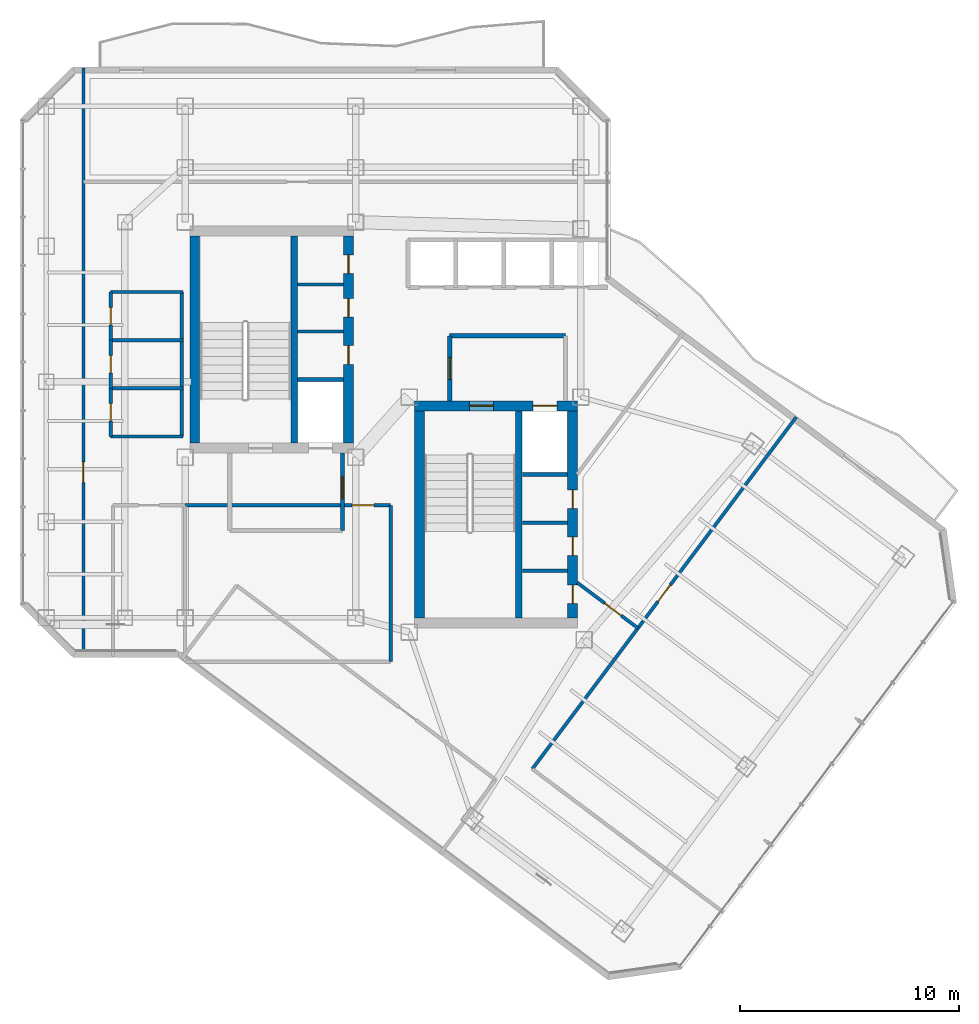
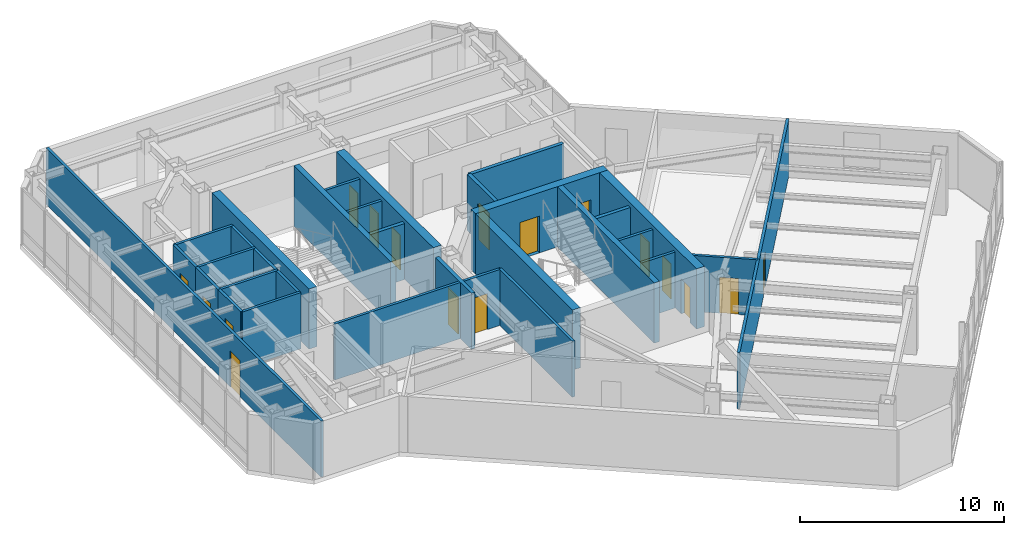
# One storey, part 20 of 25: 29 walls, 17 doors, 17 openings.
"""IFC4 building model written with IfcOpenShell, lengths in metres."""

from ifc_helpers import new_model, si_unit, direction, frame, frame_2d, origin, place, context, subcontext, project, spatial, rectangle, extrude, material, layer, layer_set, type_object, element, fill, save


model = new_model("IFC4")

# Units and contexts
model_context = context("Model", 3, precision=1e-05, world=origin(), true_north=direction((0.0, 1.0)))
body_context = subcontext(model_context, "Body", "Model", "MODEL_VIEW")
ifc_project = project(units=[si_unit("LENGTHUNIT", "METRE"), si_unit("AREAUNIT", "SQUARE_METRE"), si_unit("VOLUMEUNIT", "CUBIC_METRE"), si_unit("PLANEANGLEUNIT", "RADIAN"), si_unit("MASSUNIT", "GRAM", prefix="KILO")], contexts=[model_context])

# Site, building, storey
site_placement = place(None, origin())
site = spatial("IfcSite", under=ifc_project, at=site_placement, CompositionType="ELEMENT")
building_placement = place(site_placement, origin())
building = spatial("IfcBuilding", under=site, at=building_placement, Name="Hatsunagi Terrace Concourse", CompositionType="ELEMENT")
storey_placement = place(building_placement, frame((0.0, 0.0, 205.949951171875)))
storey = spatial("IfcBuildingStorey", under=building, at=storey_placement, Name="L54", CompositionType="ELEMENT", Elevation=205.949951171875)

# Wall
ifc_material_1 = material(Name="Concrete Fc42", Category="concrete")
ifc_layer_1 = layer(ifc_material_1, 0.449951171875)
ifc_layer_set_1 = layer_set([ifc_layer_1], Name="CoreShearWall_Fc42_450")
wall_type_1 = type_object("IfcWallType", Name="CoreShearWall_Fc42_450", PredefinedType="SHEAR", material=ifc_layer_set_1)
wall_1_placement = place(storey_placement, frame((25.9951171875, 33.18994140625, 0.0), z_axis=(0.0, 0.0, 1.0), x_axis=(0.0, 1.0, 0.0)))
element("IfcWall", 1, at=wall_1_placement, inside=storey, type_object=wall_type_1, Name="Core A Shear Wall W L54", PredefinedType="SHEAR", context=body_context, shape_type="SweptSolid", body=[
    extrude(rectangle(XDim=9.47998046875, YDim=0.449951171875, at=frame_2d((4.739990234375, 0.0))), origin(), (0.0, 0.0, 1.0), 3.60009765625),
])

# Wall, openings, doors
wall_2_placement = place(storey_placement, frame((33.02490234375, 33.18994140625, 0.0), z_axis=(0.0, 0.0, 1.0), x_axis=(0.0, 1.0, 0.0)))
wall_2 = element("IfcWall", 2, at=wall_2_placement, inside=storey, type_object=wall_type_1, Name="Core A Shear Wall E L54", PredefinedType="SHEAR", context=body_context, shape_type="SweptSolid", body=[
    extrude(rectangle(XDim=9.47998046875, YDim=0.449951171875, at=frame_2d((4.739990234375, 0.0))), origin(), (0.0, 0.0, 1.0), 3.60009765625),
])
opening_1_placement = place(wall_2_placement, frame((3.610107421875, 0.0, 0.0)))
opening_1 = element("IfcOpeningElement", 3, at=opening_1_placement, cuts=wall_2, Name="Opening DR-085", PredefinedType="OPENING", context=body_context, shape_type="SweptSolid", body=[
    extrude(rectangle(XDim=0.85009765625, YDim=2.080078125, at=frame_2d((0.425048828125, 1.0400390625))), frame((0.0, 0.23486328125, 0.0), z_axis=(0.0, -1.0, 0.0), x_axis=(1.0, 0.0, 0.0)), (0.0, 0.0, 1.0), 0.469970703125),
])
opening_2_placement = place(wall_2_placement, frame((5.760009765625, 0.0, 0.0)))
opening_2 = element("IfcOpeningElement", 4, at=opening_2_placement, cuts=wall_2, Name="Opening DR-085", PredefinedType="OPENING", context=body_context, shape_type="SweptSolid", body=[
    extrude(rectangle(XDim=0.85009765625, YDim=2.080078125, at=frame_2d((0.425048828125, 1.0400390625))), frame((0.0, 0.23486328125, 0.0), z_axis=(0.0, -1.0, 0.0), x_axis=(1.0, 0.0, 0.0)), (0.0, 0.0, 1.0), 0.469970703125),
])
opening_3_placement = place(wall_2_placement, frame((7.760009765625, 0.0, 0.0)))
opening_3 = element("IfcOpeningElement", 5, at=opening_3_placement, cuts=wall_2, Name="Opening DR-085", PredefinedType="OPENING", context=body_context, shape_type="SweptSolid", body=[
    extrude(rectangle(XDim=0.85009765625, YDim=2.080078125, at=frame_2d((0.425048828125, 1.0400390625))), frame((0.0, 0.23486328125, 0.0), z_axis=(0.0, -1.0, 0.0), x_axis=(1.0, 0.0, 0.0)), (0.0, 0.0, 1.0), 0.469970703125),
])
ifc_material_2 = material(Name="Painted steel", Category="steel")
door_type_1 = type_object("IfcDoorType", Name="RiserAccessDoor_EI60_850", OperationType="NOTDEFINED", PredefinedType="DOOR", material=ifc_material_2)
door_1_placement = place(opening_1_placement, origin())
door_1 = element("IfcDoor", 6, at=door_1_placement, inside=storey, type_object=door_type_1, Name="Core A Riser Door L54-1", OperationType="SINGLE_SWING_LEFT", OverallHeight=2.080078125, OverallWidth=0.85009765625, PredefinedType="DOOR", context=body_context, shape_type="SweptSolid", body=[
    extrude(rectangle(XDim=0.85009765625, YDim=2.080078125, at=frame_2d((0.425048828125, 1.0400390625))), frame((0.0, 0.02490234375, 0.0), z_axis=(0.0, -1.0, 0.0), x_axis=(1.0, 0.0, 0.0)), (0.0, 0.0, 1.0), 0.050048828125),
])
fill(opening_1, door_1)
door_2_placement = place(opening_2_placement, origin())
door_2 = element("IfcDoor", 7, at=door_2_placement, inside=storey, type_object=door_type_1, Name="Core A Riser Door L54-2", OperationType="SINGLE_SWING_LEFT", OverallHeight=2.080078125, OverallWidth=0.85009765625, PredefinedType="DOOR", context=body_context, shape_type="SweptSolid", body=[
    extrude(rectangle(XDim=0.85009765625, YDim=2.080078125, at=frame_2d((0.425048828125, 1.0400390625))), frame((0.0, 0.02490234375, 0.0), z_axis=(0.0, -1.0, 0.0), x_axis=(1.0, 0.0, 0.0)), (0.0, 0.0, 1.0), 0.050048828125),
])
fill(opening_2, door_2)
door_3_placement = place(opening_3_placement, origin())
door_3 = element("IfcDoor", 8, at=door_3_placement, inside=storey, type_object=door_type_1, Name="Core A Riser Door L54-3", OperationType="SINGLE_SWING_LEFT", OverallHeight=2.080078125, OverallWidth=0.85009765625, PredefinedType="DOOR", context=body_context, shape_type="SweptSolid", body=[
    extrude(rectangle(XDim=0.85009765625, YDim=2.080078125, at=frame_2d((0.425048828125, 1.0400390625))), frame((0.0, 0.02490234375, 0.0), z_axis=(0.0, -1.0, 0.0), x_axis=(1.0, 0.0, 0.0)), (0.0, 0.0, 1.0), 0.050048828125),
])
fill(opening_3, door_3)

wall_3_placement = place(storey_placement, frame((36.0400390625, 34.89501953125, 0.0), z_axis=(0.0, 0.0, 1.0), x_axis=(1.0, 0.0, 0.0)))
wall_3 = element("IfcWall", 9, at=wall_3_placement, inside=storey, type_object=wall_type_1, Name="Core B Shear Wall N L54", PredefinedType="SHEAR", context=body_context, shape_type="SweptSolid", body=[
    extrude(rectangle(XDim=7.4599609375, YDim=0.449951171875, at=frame_2d((3.72998046875, 0.0))), origin(), (0.0, 0.0, 1.0), 3.60009765625),
])
opening_4_placement = place(wall_3_placement, frame((2.510009765625, 0.0, 0.0)))
opening_4 = element("IfcOpeningElement", 10, at=opening_4_placement, cuts=wall_3, Name="Opening DR-110S", PredefinedType="OPENING", context=body_context, shape_type="SweptSolid", body=[
    extrude(rectangle(XDim=1.10009765625, YDim=2.199951171875, at=frame_2d((0.550048828125, 1.10009765625))), frame((0.0, 0.23486328125, 0.0), z_axis=(0.0, -1.0, 0.0), x_axis=(1.0, 0.0, 0.0)), (0.0, 0.0, 1.0), 0.469970703125),
])
opening_5_placement = place(wall_3_placement, frame((5.409912109375, 0.0, 0.0)))
opening_5 = element("IfcOpeningElement", 11, at=opening_5_placement, cuts=wall_3, Name="Opening LD-02", PredefinedType="OPENING", context=body_context, shape_type="SweptSolid", body=[
    extrude(rectangle(XDim=1.1201171875, YDim=2.14990234375, at=frame_2d((0.56005859375, 1.074951171875))), frame((0.0, 0.23486328125, 0.0), z_axis=(0.0, -1.0, 0.0), x_axis=(1.0, 0.0, 0.0)), (0.0, 0.0, 1.0), 0.469970703125),
])
ifc_material_3 = material(Name="Stainless steel", Category="steel")
door_type_2 = type_object("IfcDoorType", Name="LiftLandingDoor_LD02", OperationType="SLIDING_TO_RIGHT", PredefinedType="USERDEFINED", material=ifc_material_3)
door_4_placement = place(opening_5_placement, origin())
door_4 = element("IfcDoor", 12, at=door_4_placement, inside=storey, type_object=door_type_2, Name="Lift landing door FF-02 L54", ObjectType="SLIDING_LANDING_DOOR", OperationType="SLIDING_TO_RIGHT", OverallHeight=2.14990234375, OverallWidth=1.1201171875, PredefinedType="USERDEFINED", context=body_context, shape_type="SweptSolid", body=[
    extrude(rectangle(XDim=1.1201171875, YDim=2.14990234375, at=frame_2d((0.56005859375, 1.074951171875))), frame((0.0, 0.02490234375, 0.0), z_axis=(0.0, -1.0, 0.0), x_axis=(1.0, 0.0, 0.0)), (0.0, 0.0, 1.0), 0.050048828125),
])
fill(opening_5, door_4)
ifc_material_4 = material(Name="Painted steel", Category="steel")
door_type_3 = type_object("IfcDoorType", Name="StairFireDoor_EI60_1100", OperationType="NOTDEFINED", PredefinedType="DOOR", material=ifc_material_4)
door_5_placement = place(opening_4_placement, origin())
door_5 = element("IfcDoor", 13, at=door_5_placement, inside=storey, type_object=door_type_3, Name="Stair ST-B Exit Door L54", OperationType="SINGLE_SWING_RIGHT", OverallHeight=2.199951171875, OverallWidth=1.10009765625, PredefinedType="DOOR", context=body_context, shape_type="SweptSolid", body=[
    extrude(rectangle(XDim=1.10009765625, YDim=2.199951171875, at=frame_2d((0.550048828125, 1.10009765625))), frame((0.0, 0.02490234375, 0.0), z_axis=(0.0, -1.0, 0.0), x_axis=(1.0, 0.0, 0.0)), (0.0, 0.0, 1.0), 0.050048828125),
])
fill(opening_4, door_5)

# Wall
wall_4_placement = place(storey_placement, frame((36.264892578125, 25.18994140625, 0.0), z_axis=(0.0, 0.0, 1.0), x_axis=(0.0, 1.0, 0.0)))
element("IfcWall", 14, at=wall_4_placement, inside=storey, type_object=wall_type_1, Name="Core B Shear Wall W L54", PredefinedType="SHEAR", context=body_context, shape_type="SweptSolid", body=[
    extrude(rectangle(XDim=9.47998046875, YDim=0.449951171875, at=frame_2d((4.739990234375, 0.0))), origin(), (0.0, 0.0, 1.0), 3.60009765625),
])

# Wall, openings, doors
wall_5_placement = place(storey_placement, frame((43.27490234375, 25.18994140625, 0.0), z_axis=(0.0, 0.0, 1.0), x_axis=(0.0, 1.0, 0.0)))
wall_5 = element("IfcWall", 15, at=wall_5_placement, inside=storey, type_object=wall_type_1, Name="Core B Shear Wall E L54", PredefinedType="SHEAR", context=body_context, shape_type="SweptSolid", body=[
    extrude(rectangle(XDim=9.47998046875, YDim=0.449951171875, at=frame_2d((4.739990234375, 0.0))), origin(), (0.0, 0.0, 1.0), 3.60009765625),
])
opening_6_placement = place(wall_5_placement, frame((0.659912109375, 0.0, 0.0)))
opening_6 = element("IfcOpeningElement", 16, at=opening_6_placement, cuts=wall_5, Name="Opening DR-085", PredefinedType="OPENING", context=body_context, shape_type="SweptSolid", body=[
    extrude(rectangle(XDim=0.85009765625, YDim=2.080078125, at=frame_2d((0.425048828125, 1.0400390625))), frame((0.0, 0.23486328125, 0.0), z_axis=(0.0, -1.0, 0.0), x_axis=(1.0, 0.0, 0.0)), (0.0, 0.0, 1.0), 0.469970703125),
])
opening_7_placement = place(wall_5_placement, frame((2.860107421875, 0.0, 0.0)))
opening_7 = element("IfcOpeningElement", 17, at=opening_7_placement, cuts=wall_5, Name="Opening DR-085", PredefinedType="OPENING", context=body_context, shape_type="SweptSolid", body=[
    extrude(rectangle(XDim=0.85009765625, YDim=2.080078125, at=frame_2d((0.425048828125, 1.0400390625))), frame((0.0, 0.23486328125, 0.0), z_axis=(0.0, -1.0, 0.0), x_axis=(1.0, 0.0, 0.0)), (0.0, 0.0, 1.0), 0.469970703125),
])
opening_8_placement = place(wall_5_placement, frame((5.010009765625, 0.0, 0.0)))
opening_8 = element("IfcOpeningElement", 18, at=opening_8_placement, cuts=wall_5, Name="Opening DR-085", PredefinedType="OPENING", context=body_context, shape_type="SweptSolid", body=[
    extrude(rectangle(XDim=0.85009765625, YDim=2.080078125, at=frame_2d((0.425048828125, 1.0400390625))), frame((0.0, 0.23486328125, 0.0), z_axis=(0.0, -1.0, 0.0), x_axis=(1.0, 0.0, 0.0)), (0.0, 0.0, 1.0), 0.469970703125),
])
door_6_placement = place(opening_6_placement, origin())
door_6 = element("IfcDoor", 19, at=door_6_placement, inside=storey, type_object=door_type_1, Name="Core B Riser Door L54-1", OperationType="SINGLE_SWING_RIGHT", OverallHeight=2.080078125, OverallWidth=0.85009765625, PredefinedType="DOOR", context=body_context, shape_type="SweptSolid", body=[
    extrude(rectangle(XDim=0.85009765625, YDim=2.080078125, at=frame_2d((0.425048828125, 1.0400390625))), frame((0.0, 0.02490234375, 0.0), z_axis=(0.0, -1.0, 0.0), x_axis=(1.0, 0.0, 0.0)), (0.0, 0.0, 1.0), 0.050048828125),
])
fill(opening_6, door_6)
door_7_placement = place(opening_7_placement, origin())
door_7 = element("IfcDoor", 20, at=door_7_placement, inside=storey, type_object=door_type_1, Name="Core B Riser Door L54-2", OperationType="SINGLE_SWING_RIGHT", OverallHeight=2.080078125, OverallWidth=0.85009765625, PredefinedType="DOOR", context=body_context, shape_type="SweptSolid", body=[
    extrude(rectangle(XDim=0.85009765625, YDim=2.080078125, at=frame_2d((0.425048828125, 1.0400390625))), frame((0.0, 0.02490234375, 0.0), z_axis=(0.0, -1.0, 0.0), x_axis=(1.0, 0.0, 0.0)), (0.0, 0.0, 1.0), 0.050048828125),
])
fill(opening_7, door_7)
door_8_placement = place(opening_8_placement, origin())
door_8 = element("IfcDoor", 21, at=door_8_placement, inside=storey, type_object=door_type_1, Name="Core B Riser Door L54-3", OperationType="SINGLE_SWING_RIGHT", OverallHeight=2.080078125, OverallWidth=0.85009765625, PredefinedType="DOOR", context=body_context, shape_type="SweptSolid", body=[
    extrude(rectangle(XDim=0.85009765625, YDim=2.080078125, at=frame_2d((0.425048828125, 1.0400390625))), frame((0.0, 0.02490234375, 0.0), z_axis=(0.0, -1.0, 0.0), x_axis=(1.0, 0.0, 0.0)), (0.0, 0.0, 1.0), 0.050048828125),
])
fill(opening_8, door_8)

# Walls
ifc_material_5 = material(Name="Concrete Fc48", Category="concrete")
ifc_layer_2 = layer(ifc_material_5, 0.300048828125)
ifc_layer_set_2 = layer_set([ifc_layer_2], Name="CoreStairDivider_Fc48_300")
wall_type_2 = type_object("IfcWallType", Name="CoreStairDivider_Fc48_300", PredefinedType="SHEAR", material=ifc_layer_set_2)
for number, where, z_axis, x_axis, name in (
    (22, (30.5400390625, 33.18994140625, 0.0), (0.0, 0.0, 1.0), (0.0, 1.0, 0.0), "Core A Shear Wall D L54"),
    (23, (40.81005859375, 25.18994140625, 0.0), (0.0, 0.0, 1.0), (0.0, 1.0, 0.0), "Core B Shear Wall D L54"),
):
    element("IfcWall", number, at=place(storey_placement, frame(where, z_axis=z_axis, x_axis=x_axis)), inside=storey, type_object=wall_type_2, Name=name, PredefinedType="SHEAR", context=body_context, shape_type="SweptSolid", body=[
        extrude(rectangle(XDim=9.47998046875, YDim=0.300048828125, at=frame_2d((4.739990234375, 0.0))), origin(), (0.0, 0.0, 1.0), 3.60009765625),
    ])
ifc_material_6 = material(Name="Acoustic mineral board", Category="gypsum")
ifc_layer_3 = layer(ifc_material_6, 0.14990234375)
ifc_layer_set_3 = layer_set([ifc_layer_3], Name="PartitionWall_EI60_150")
wall_type_3 = type_object("IfcWallType", Name="PartitionWall_EI60_150", PredefinedType="PARTITIONING", material=ifc_layer_set_3)
for number, where, z_axis, x_axis, name in (
    (24, (30.699951171875, 38.300048828125, 0.0), (0.0, 0.0, 1.0), (1.0, 0.0, 0.0), "Interior Partition IW-L54-002"),
    (25, (30.699951171875, 40.449951171875, 0.0), (0.0, 0.0, 1.0), (1.0, 0.0, 0.0), "Interior Partition IW-L54-003"),
):
    element("IfcWall", number, at=place(storey_placement, frame(where, z_axis=z_axis, x_axis=x_axis)), inside=storey, type_object=wall_type_3, Name=name, PredefinedType="PARTITIONING", context=body_context, shape_type="SweptSolid", body=[
        extrude(rectangle(XDim=2.10009765625, YDim=0.14990234375, at=frame_2d((1.050048828125, 0.0))), origin(), (0.0, 0.0, 1.0), 3.35009765625),
    ])
for number, where, z_axis, x_axis, name in (
    (26, (40.969970703125, 27.35009765625, 0.0), (0.0, 0.0, 1.0), (1.0, 0.0, 0.0), "Interior Partition IW-L54-005"),
    (27, (40.969970703125, 29.550048828125, 0.0), (0.0, 0.0, 1.0), (1.0, 0.0, 0.0), "Interior Partition IW-L54-006"),
):
    element("IfcWall", number, at=place(storey_placement, frame(where, z_axis=z_axis, x_axis=x_axis)), inside=storey, type_object=wall_type_3, Name=name, PredefinedType="PARTITIONING", context=body_context, shape_type="SweptSolid", body=[
        extrude(rectangle(XDim=2.080078125, YDim=0.14990234375, at=frame_2d((1.0400390625, 0.0))), origin(), (0.0, 0.0, 1.0), 3.35009765625),
    ])
for number, where, z_axis, x_axis, name in (
    (28, (22.14990234375, 33.5, 0.0), (0.0, 0.0, 1.0), (1.0, 0.0, 0.0), "Interior Partition IW-L54-019"),
    (29, (22.14990234375, 40.10009765625, 0.0), (0.0, 0.0, 1.0), (1.0, 0.0, 0.0), "Interior Partition IW-L54-020"),
):
    element("IfcWall", number, at=place(storey_placement, frame(where, z_axis=z_axis, x_axis=x_axis)), inside=storey, type_object=wall_type_3, Name=name, PredefinedType="PARTITIONING", context=body_context, shape_type="SweptSolid", body=[
        extrude(rectangle(XDim=3.300048828125, YDim=0.14990234375, at=frame_2d((1.64990234375, 0.0))), origin(), (0.0, 0.0, 1.0), 3.35009765625),
    ])
wall_6_placement = place(storey_placement, frame((25.39990234375, 33.5, 0.0), z_axis=(0.0, 0.0, 1.0), x_axis=(0.0, 1.0, 0.0)))
element("IfcWall", 30, at=wall_6_placement, inside=storey, type_object=wall_type_3, Name="Interior Partition IW-L54-021", PredefinedType="PARTITIONING", context=body_context, shape_type="SweptSolid", body=[
    extrude(rectangle(XDim=6.60009765625, YDim=0.14990234375, at=frame_2d((3.300048828125, 0.0))), origin(), (0.0, 0.0, 1.0), 3.35009765625),
])
for number, where, z_axis, x_axis, name in (
    (31, (22.14990234375, 35.699951171875, 0.0), (0.0, 0.0, 1.0), (1.0, 0.0, 0.0), "Interior Partition IW-L54-022"),
    (32, (22.14990234375, 37.89990234375, 0.0), (0.0, 0.0, 1.0), (1.0, 0.0, 0.0), "Interior Partition IW-L54-023"),
):
    element("IfcWall", number, at=place(storey_placement, frame(where, z_axis=z_axis, x_axis=x_axis)), inside=storey, type_object=wall_type_3, Name=name, PredefinedType="PARTITIONING", context=body_context, shape_type="SweptSolid", body=[
        extrude(rectangle(XDim=3.300048828125, YDim=0.14990234375, at=frame_2d((1.64990234375, 0.0))), origin(), (0.0, 0.0, 1.0), 3.35009765625),
    ])

# Wall, opening, door
wall_7_placement = place(storey_placement, frame((22.14990234375, 33.5, 0.0), z_axis=(0.0, 0.0, 1.0), x_axis=(0.0, 1.0, 0.0)))
wall_7 = element("IfcWall", 33, at=wall_7_placement, inside=storey, type_object=wall_type_3, Name="Interior Partition IW-L54-024", PredefinedType="PARTITIONING", context=body_context, shape_type="SweptSolid", body=[
    extrude(rectangle(XDim=2.199951171875, YDim=0.14990234375, at=frame_2d((1.10009765625, 0.0))), origin(), (0.0, 0.0, 1.0), 3.35009765625),
])
opening_9_placement = place(wall_7_placement, frame((0.699951171875, 0.0, 0.0)))
opening_9 = element("IfcOpeningElement", 34, at=opening_9_placement, cuts=wall_7, Name="Opening DR-080", PredefinedType="OPENING", context=body_context, shape_type="SweptSolid", body=[
    extrude(rectangle(XDim=0.800048828125, YDim=2.06005859375, at=frame_2d((0.39990234375, 1.030029296875))), frame((0.0, 0.0849609375, 0.0), z_axis=(0.0, -1.0, 0.0), x_axis=(1.0, 0.0, 0.0)), (0.0, 0.0, 1.0), 0.169921875),
])
ifc_material_7 = material(Name="Hardwood timber", Category="wood")
door_type_4 = type_object("IfcDoorType", Name="BathroomDoor_800", OperationType="NOTDEFINED", PredefinedType="DOOR", material=ifc_material_7)
door_9_placement = place(opening_9_placement, origin())
door_9 = element("IfcDoor", 35, at=door_9_placement, inside=storey, type_object=door_type_4, Name="Accessible WC Door L54", OperationType="SINGLE_SWING_RIGHT", OverallHeight=2.06005859375, OverallWidth=0.800048828125, PredefinedType="DOOR", context=body_context, shape_type="SweptSolid", body=[
    extrude(rectangle(XDim=0.800048828125, YDim=2.06005859375, at=frame_2d((0.39990234375, 1.030029296875))), frame((0.0, 0.02490234375, 0.0), z_axis=(0.0, -1.0, 0.0), x_axis=(1.0, 0.0, 0.0)), (0.0, 0.0, 1.0), 0.050048828125),
])
fill(opening_9, door_9)

wall_8_placement = place(storey_placement, frame((22.14990234375, 35.699951171875, 0.0), z_axis=(0.0, 0.0, 1.0), x_axis=(0.0, 1.0, 0.0)))
wall_8 = element("IfcWall", 36, at=wall_8_placement, inside=storey, type_object=wall_type_3, Name="Interior Partition IW-L54-025", PredefinedType="PARTITIONING", context=body_context, shape_type="SweptSolid", body=[
    extrude(rectangle(XDim=2.199951171875, YDim=0.14990234375, at=frame_2d((1.10009765625, 0.0))), origin(), (0.0, 0.0, 1.0), 3.35009765625),
])
opening_10_placement = place(wall_8_placement, frame((0.699951171875, 0.0, 0.0)))
opening_10 = element("IfcOpeningElement", 37, at=opening_10_placement, cuts=wall_8, Name="Opening DR-080", PredefinedType="OPENING", context=body_context, shape_type="SweptSolid", body=[
    extrude(rectangle(XDim=0.800048828125, YDim=2.06005859375, at=frame_2d((0.39990234375, 1.030029296875))), frame((0.0, 0.0849609375, 0.0), z_axis=(0.0, -1.0, 0.0), x_axis=(1.0, 0.0, 0.0)), (0.0, 0.0, 1.0), 0.169921875),
])
door_10_placement = place(opening_10_placement, origin())
door_10 = element("IfcDoor", 38, at=door_10_placement, inside=storey, type_object=door_type_4, Name="Female Restroom Door L54", OperationType="SINGLE_SWING_RIGHT", OverallHeight=2.06005859375, OverallWidth=0.800048828125, PredefinedType="DOOR", context=body_context, shape_type="SweptSolid", body=[
    extrude(rectangle(XDim=0.800048828125, YDim=2.06005859375, at=frame_2d((0.39990234375, 1.030029296875))), frame((0.0, 0.02490234375, 0.0), z_axis=(0.0, -1.0, 0.0), x_axis=(1.0, 0.0, 0.0)), (0.0, 0.0, 1.0), 0.050048828125),
])
fill(opening_10, door_10)

wall_9_placement = place(storey_placement, frame((22.14990234375, 37.89990234375, 0.0), z_axis=(0.0, 0.0, 1.0), x_axis=(0.0, 1.0, 0.0)))
wall_9 = element("IfcWall", 39, at=wall_9_placement, inside=storey, type_object=wall_type_3, Name="Interior Partition IW-L54-026", PredefinedType="PARTITIONING", context=body_context, shape_type="SweptSolid", body=[
    extrude(rectangle(XDim=2.2001953125, YDim=0.14990234375, at=frame_2d((1.10009765625, 0.0))), origin(), (0.0, 0.0, 1.0), 3.35009765625),
])
opening_11_placement = place(wall_9_placement, frame((0.699951171875, 0.0, 0.0)))
opening_11 = element("IfcOpeningElement", 40, at=opening_11_placement, cuts=wall_9, Name="Opening DR-080", PredefinedType="OPENING", context=body_context, shape_type="SweptSolid", body=[
    extrude(rectangle(XDim=0.800048828125, YDim=2.06005859375, at=frame_2d((0.39990234375, 1.030029296875))), frame((0.0, 0.0849609375, 0.0), z_axis=(0.0, -1.0, 0.0), x_axis=(1.0, 0.0, 0.0)), (0.0, 0.0, 1.0), 0.169921875),
])
door_11_placement = place(opening_11_placement, origin())
door_11 = element("IfcDoor", 41, at=door_11_placement, inside=storey, type_object=door_type_4, Name="Male Restroom Door L54", OperationType="SINGLE_SWING_RIGHT", OverallHeight=2.06005859375, OverallWidth=0.800048828125, PredefinedType="DOOR", context=body_context, shape_type="SweptSolid", body=[
    extrude(rectangle(XDim=0.800048828125, YDim=2.06005859375, at=frame_2d((0.39990234375, 1.030029296875))), frame((0.0, 0.02490234375, 0.0), z_axis=(0.0, -1.0, 0.0), x_axis=(1.0, 0.0, 0.0)), (0.0, 0.0, 1.0), 0.050048828125),
])
fill(opening_11, door_11)

wall_10_placement = place(storey_placement, frame((25.550048828125, 30.35009765625, 0.0), z_axis=(0.0, 0.0, 1.0), x_axis=(1.0, 0.0, 0.0)))
wall_10 = element("IfcWall", 42, at=wall_10_placement, inside=storey, type_object=wall_type_3, Name="Interior Partition IW-L54-028", PredefinedType="PARTITIONING", context=body_context, shape_type="SweptSolid", body=[
    extrude(rectangle(XDim=9.39990234375, YDim=0.14990234375, at=frame_2d((4.699951171875, 0.0))), origin(), (0.0, 0.0, 1.0), 3.35009765625),
])
opening_12_placement = place(wall_10_placement, frame((7.637939453125, 0.0, 0.0)))
opening_12 = element("IfcOpeningElement", 43, at=opening_12_placement, cuts=wall_10, Name="Opening DR-100S", PredefinedType="OPENING", context=body_context, shape_type="SweptSolid", body=[
    extrude(rectangle(XDim=1.0, YDim=2.14990234375, at=frame_2d((0.5, 1.074951171875))), frame((0.0, 0.0849609375, 0.0), z_axis=(0.0, -1.0, 0.0), x_axis=(1.0, 0.0, 0.0)), (0.0, 0.0, 1.0), 0.169921875),
])
ifc_material_8 = material(Name="Hardwood timber", Category="wood")
door_type_5 = type_object("IfcDoorType", Name="SuiteDoor_EI30_1000", OperationType="NOTDEFINED", PredefinedType="DOOR", material=ifc_material_8)
door_12_placement = place(opening_12_placement, origin())
door_12 = element("IfcDoor", 44, at=door_12_placement, inside=storey, type_object=door_type_5, Name="Design Studio L54-RECL1 Door", OperationType="SINGLE_SWING_RIGHT", OverallHeight=2.14990234375, OverallWidth=1.0, PredefinedType="DOOR", context=body_context, shape_type="SweptSolid", body=[
    extrude(rectangle(XDim=1.0, YDim=2.14990234375, at=frame_2d((0.5, 1.074951171875))), frame((0.0, 0.02490234375, 0.0), z_axis=(0.0, -1.0, 0.0), x_axis=(1.0, 0.0, 0.0)), (0.0, 0.0, 1.0), 0.050048828125),
])
fill(opening_12, door_12)

# Wall
wall_11_placement = place(storey_placement, frame((34.949951171875, 23.199951171875, 0.0), z_axis=(0.0, 0.0, 1.0), x_axis=(0.0, 1.0, 0.0)))
element("IfcWall", 45, at=wall_11_placement, inside=storey, type_object=wall_type_3, Name="Interior Partition IW-L54-030", PredefinedType="PARTITIONING", context=body_context, shape_type="SweptSolid", body=[
    extrude(rectangle(XDim=7.150146484375, YDim=0.14990234375, at=frame_2d((3.5751953125, 0.0))), origin(), (0.0, 0.0, 1.0), 3.35009765625),
])

# Wall, opening, door
wall_12_placement = place(storey_placement, frame((20.89990234375, 23.43994140625, 0.0), z_axis=(0.0, 0.0, 1.0), x_axis=(0.0, 1.0, 0.0)))
wall_12 = element("IfcWall", 46, at=wall_12_placement, inside=storey, type_object=wall_type_3, Name="Interior Partition IW-L54-031", PredefinedType="PARTITIONING", context=body_context, shape_type="SweptSolid", body=[
    extrude(rectangle(XDim=26.920166015625, YDim=0.14990234375, at=frame_2d((13.4599609375, 0.0))), origin(), (0.0, 0.0, 1.0), 3.35009765625),
])
opening_13_placement = place(wall_12_placement, frame((7.943115234375, 0.0, 0.0)))
opening_13 = element("IfcOpeningElement", 47, at=opening_13_placement, cuts=wall_12, Name="Opening DR-095", PredefinedType="OPENING", context=body_context, shape_type="SweptSolid", body=[
    extrude(rectangle(XDim=0.949951171875, YDim=2.14990234375, at=frame_2d((0.47509765625, 1.074951171875))), frame((0.0, 0.0849609375, 0.0), z_axis=(0.0, -1.0, 0.0), x_axis=(1.0, 0.0, 0.0)), (0.0, 0.0, 1.0), 0.169921875),
])
ifc_material_9 = material(Name="Hardwood timber", Category="wood")
door_type_6 = type_object("IfcDoorType", Name="InteriorSuiteDoor_EI30_950", OperationType="NOTDEFINED", PredefinedType="DOOR", material=ifc_material_9)
door_13_placement = place(opening_13_placement, origin())
door_13 = element("IfcDoor", 48, at=door_13_placement, inside=storey, type_object=door_type_6, Name="Open Plan Office L54-OW1 Door", OperationType="SINGLE_SWING_RIGHT", OverallHeight=2.14990234375, OverallWidth=0.949951171875, PredefinedType="DOOR", context=body_context, shape_type="SweptSolid", body=[
    extrude(rectangle(XDim=0.949951171875, YDim=2.14990234375, at=frame_2d((0.47509765625, 1.074951171875))), frame((0.0, 0.02490234375, 0.0), z_axis=(0.0, -1.0, 0.0), x_axis=(1.0, 0.0, 0.0)), (0.0, 0.0, 1.0), 0.050048828125),
])
fill(opening_13, door_13)

wall_13_placement = place(storey_placement, frame((41.429931640625, 18.2900390625, 0.0), z_axis=(0.0, 0.0, 1.0), x_axis=(0.600007769734, 0.79999417264, 0.0)))
wall_13 = element("IfcWall", 49, at=wall_13_placement, inside=storey, type_object=wall_type_3, Name="Interior Partition IW-L54-034", PredefinedType="PARTITIONING", context=body_context, shape_type="SweptSolid", body=[
    extrude(rectangle(XDim=20.110107421875, YDim=0.14990234375, at=frame_2d((10.05517578125, 0.0))), origin(), (0.0, 0.0, 1.0), 3.35009765625),
])
opening_14_placement = place(wall_13_placement, frame((9.580078125, 0.0, 0.0)))
opening_14 = element("IfcOpeningElement", 50, at=opening_14_placement, cuts=wall_13, Name="Opening DR-095", PredefinedType="OPENING", context=body_context, shape_type="SweptSolid", body=[
    extrude(rectangle(XDim=0.949951171875, YDim=2.14990234375, at=frame_2d((0.47509765625, 1.074951171875))), frame((0.0, 0.0849609375, 0.0), z_axis=(0.0, -1.0, 0.0), x_axis=(1.0, 0.0, 0.0)), (0.0, 0.0, 1.0), 0.169921875),
])
door_14_placement = place(opening_14_placement, origin())
door_14 = element("IfcDoor", 51, at=door_14_placement, inside=storey, type_object=door_type_6, Name="Design Studio L54-OSE1 Door", OperationType="SINGLE_SWING_RIGHT", OverallHeight=2.14990234375, OverallWidth=0.949951171875, PredefinedType="DOOR", context=body_context, shape_type="SweptSolid", body=[
    extrude(rectangle(XDim=0.949951171875, YDim=2.14990234375, at=frame_2d((0.47509765625, 1.074951171875))), frame((0.0, 0.02490234375, 0.0), z_axis=(0.0, -1.0, 0.0), x_axis=(1.0, 0.0, 0.0)), (0.0, 0.0, 1.0), 0.050048828125),
])
fill(opening_14, door_14)

wall_14_placement = place(storey_placement, frame((43.47998046875, 26.81494140625, 0.0), z_axis=(0.0, 0.0, 1.0), x_axis=(0.800008430676, -0.599988758934, 0.0)))
wall_14 = element("IfcWall", 52, at=wall_14_placement, inside=storey, type_object=wall_type_3, Name="Interior Partition IW-L54-035", PredefinedType="PARTITIONING", context=body_context, shape_type="SweptSolid", body=[
    extrude(rectangle(XDim=3.47509765625, YDim=0.14990234375, at=frame_2d((1.737548828125, 0.0))), origin(), (0.0, 0.0, 1.0), 3.35009765625),
])
opening_15_placement = place(wall_14_placement, frame((1.580078125, 0.0, 0.0)))
opening_15 = element("IfcOpeningElement", 53, at=opening_15_placement, cuts=wall_14, Name="Opening DR-095", PredefinedType="OPENING", context=body_context, shape_type="SweptSolid", body=[
    extrude(rectangle(XDim=0.949951171875, YDim=2.14990234375, at=frame_2d((0.47509765625, 1.074951171875))), frame((0.0, 0.0849609375, 0.0), z_axis=(0.0, -1.0, 0.0), x_axis=(1.0, 0.0, 0.0)), (0.0, 0.0, 1.0), 0.169921875),
])
door_15_placement = place(opening_15_placement, origin())
door_15 = element("IfcDoor", 54, at=door_15_placement, inside=storey, type_object=door_type_6, Name="Collaboration Lounge L54-OSEN1 Door", OperationType="SINGLE_SWING_LEFT", OverallHeight=2.14990234375, OverallWidth=0.949951171875, PredefinedType="DOOR", context=body_context, shape_type="SweptSolid", body=[
    extrude(rectangle(XDim=0.949951171875, YDim=2.14990234375, at=frame_2d((0.47509765625, 1.074951171875))), frame((0.0, 0.02490234375, 0.0), z_axis=(0.0, -1.0, 0.0), x_axis=(1.0, 0.0, 0.0)), (0.0, 0.0, 1.0), 0.050048828125),
])
fill(opening_15, door_15)

# Walls
ifc_material_10 = material(Name="Acoustic mineral board", Category="gypsum")
ifc_layer_4 = layer(ifc_material_10, 0.199951171875)
ifc_layer_set_4 = layer_set([ifc_layer_4], Name="ShaftWall_EI120_200")
wall_type_4 = type_object("IfcWallType", Name="ShaftWall_EI120_200", PredefinedType="STANDARD", material=ifc_layer_set_4)
wall_15_placement = place(storey_placement, frame((30.699951171875, 36.10009765625, 0.0), z_axis=(0.0, 0.0, 1.0), x_axis=(1.0, 0.0, 0.0)))
element("IfcWall", 55, at=wall_15_placement, inside=storey, type_object=wall_type_4, Name="Interior Partition IW-L54-001", PredefinedType="STANDARD", context=body_context, shape_type="SweptSolid", body=[
    extrude(rectangle(XDim=2.10009765625, YDim=0.199951171875, at=frame_2d((1.050048828125, 0.0))), origin(), (0.0, 0.0, 1.0), 3.35009765625),
])
wall_16_placement = place(storey_placement, frame((40.969970703125, 31.760009765625, 0.0), z_axis=(0.0, 0.0, 1.0), x_axis=(1.0, 0.0, 0.0)))
element("IfcWall", 56, at=wall_16_placement, inside=storey, type_object=wall_type_4, Name="Interior Partition IW-L54-004", PredefinedType="STANDARD", context=body_context, shape_type="SweptSolid", body=[
    extrude(rectangle(XDim=2.080078125, YDim=0.199951171875, at=frame_2d((1.0400390625, 0.0))), origin(), (0.0, 0.0, 1.0), 3.35009765625),
])

# Wall, opening, door
wall_17_placement = place(storey_placement, frame((32.75, 29.199951171875, 0.0), z_axis=(0.0, 0.0, 1.0), x_axis=(0.0, 1.0, 0.0)))
wall_17 = element("IfcWall", 57, at=wall_17_placement, inside=storey, type_object=wall_type_4, Name="Interior Partition IW-L54-009", PredefinedType="STANDARD", context=body_context, shape_type="SweptSolid", body=[
    extrude(rectangle(XDim=3.5400390625, YDim=0.199951171875, at=frame_2d((1.77001953125, 0.0))), origin(), (0.0, 0.0, 1.0), 3.35009765625),
])
opening_16_placement = place(wall_17_placement, frame((1.449951171875, 0.0, 0.0)))
opening_16 = element("IfcOpeningElement", 58, at=opening_16_placement, cuts=wall_17, Name="Opening DR-100F", PredefinedType="OPENING", context=body_context, shape_type="SweptSolid", body=[
    extrude(rectangle(XDim=1.0, YDim=2.199951171875, at=frame_2d((0.5, 1.10009765625))), frame((0.0, 0.10986328125, 0.0), z_axis=(0.0, -1.0, 0.0), x_axis=(1.0, 0.0, 0.0)), (0.0, 0.0, 1.0), 0.219970703125),
])
ifc_material_11 = material(Name="Painted steel", Category="steel")
door_type_7 = type_object("IfcDoorType", Name="FireDoor_EI60_1000", OperationType="NOTDEFINED", PredefinedType="DOOR", material=ifc_material_11)
door_16_placement = place(opening_16_placement, origin())
door_16 = element("IfcDoor", 59, at=door_16_placement, inside=storey, type_object=door_type_7, Name="Firefighting Lobby A Door L54", OperationType="SINGLE_SWING_RIGHT", OverallHeight=2.199951171875, OverallWidth=1.0, PredefinedType="DOOR", context=body_context, shape_type="SweptSolid", body=[
    extrude(rectangle(XDim=1.0, YDim=2.199951171875, at=frame_2d((0.5, 1.10009765625))), frame((0.0, 0.02490234375, 0.0), z_axis=(0.0, -1.0, 0.0), x_axis=(1.0, 0.0, 0.0)), (0.0, 0.0, 1.0), 0.050048828125),
])
fill(opening_16, door_16)

# Wall
wall_18_placement = place(storey_placement, frame((37.64990234375, 38.10009765625, 0.0), z_axis=(0.0, 0.0, 1.0), x_axis=(1.0, 0.0, 0.0)))
element("IfcWall", 60, at=wall_18_placement, inside=storey, type_object=wall_type_4, Name="Interior Partition IW-L54-010", PredefinedType="STANDARD", context=body_context, shape_type="SweptSolid", body=[
    extrude(rectangle(XDim=5.300048828125, YDim=0.199951171875, at=frame_2d((2.64990234375, 0.0))), origin(), (0.0, 0.0, 1.0), 3.35009765625),
])

# Wall, opening, door
wall_19_placement = place(storey_placement, frame((37.64990234375, 35.1201171875, 0.0), z_axis=(0.0, 0.0, 1.0), x_axis=(0.0, 1.0, 0.0)))
wall_19 = element("IfcWall", 61, at=wall_19_placement, inside=storey, type_object=wall_type_4, Name="Interior Partition IW-L54-012", PredefinedType="STANDARD", context=body_context, shape_type="SweptSolid", body=[
    extrude(rectangle(XDim=2.97998046875, YDim=0.199951171875, at=frame_2d((1.489990234375, 0.0))), origin(), (0.0, 0.0, 1.0), 3.35009765625),
])
opening_17_placement = place(wall_19_placement, frame((0.989990234375, 0.0, 0.0)))
opening_17 = element("IfcOpeningElement", 62, at=opening_17_placement, cuts=wall_19, Name="Opening DR-100F", PredefinedType="OPENING", context=body_context, shape_type="SweptSolid", body=[
    extrude(rectangle(XDim=1.0, YDim=2.199951171875, at=frame_2d((0.5, 1.10009765625))), frame((0.0, 0.10986328125, 0.0), z_axis=(0.0, -1.0, 0.0), x_axis=(1.0, 0.0, 0.0)), (0.0, 0.0, 1.0), 0.219970703125),
])
door_17_placement = place(opening_17_placement, origin())
door_17 = element("IfcDoor", 63, at=door_17_placement, inside=storey, type_object=door_type_7, Name="Firefighting Lobby B Door L54", OperationType="SINGLE_SWING_RIGHT", OverallHeight=2.199951171875, OverallWidth=1.0, PredefinedType="DOOR", context=body_context, shape_type="SweptSolid", body=[
    extrude(rectangle(XDim=1.0, YDim=2.199951171875, at=frame_2d((0.5, 1.10009765625))), frame((0.0, 0.02490234375, 0.0), z_axis=(0.0, -1.0, 0.0), x_axis=(1.0, 0.0, 0.0)), (0.0, 0.0, 1.0), 0.050048828125),
])
fill(opening_17, door_17)

save(model, "model.ifc")
